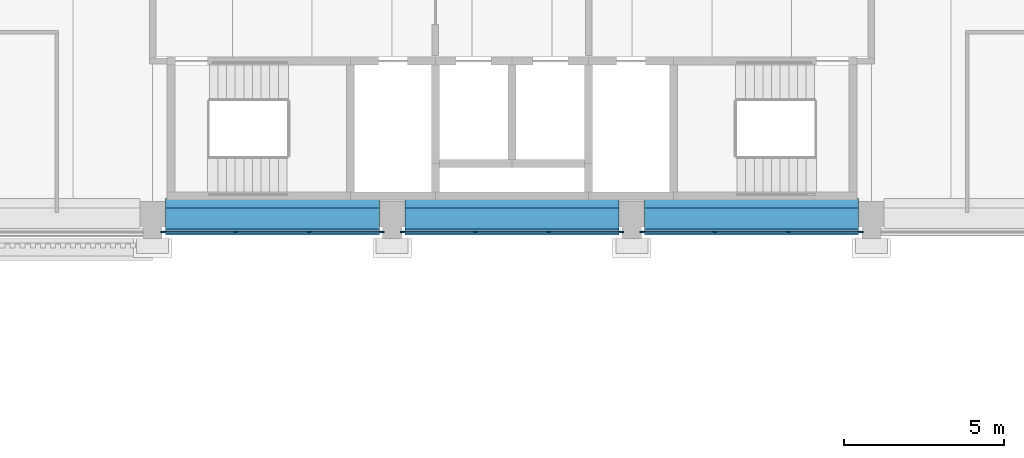
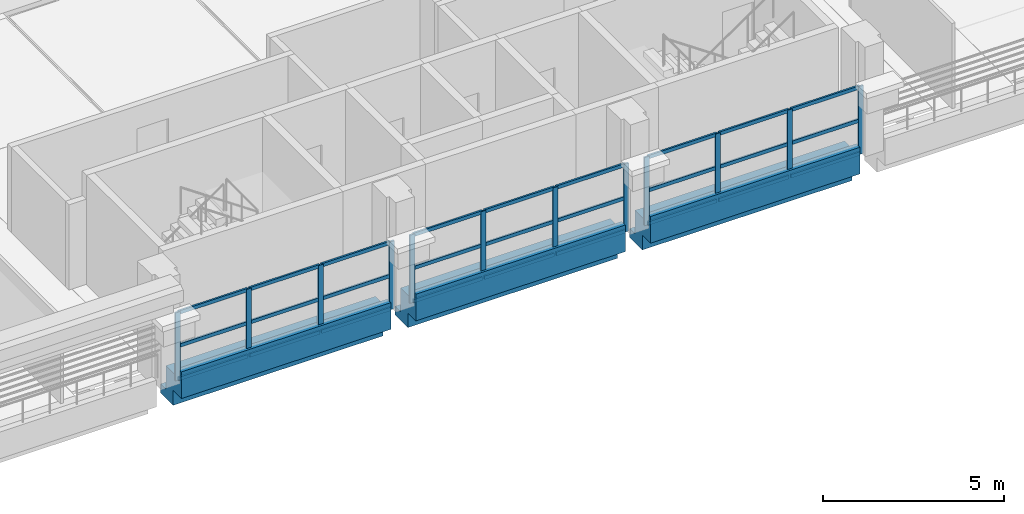
# One storey, part 7 of 71: 39 members, 3 beams, 3 elements without a shape of their own.
"""IFC4 building model written with IfcOpenShell, lengths in metres."""

from ifc_helpers import new_model, si_unit, direction, frame, origin, origin_2d, place, context, subcontext, project, spatial, polyline, rectangle, outline, extrude, material, layer, layer_set, material_profile, profile_set, type_object, element, aggregate, save


model = new_model("IFC4")

# Units and contexts
model_context = context("Model", 3, precision=1e-05, world=origin(), true_north=direction((0.0, 1.0)))
body_context = subcontext(model_context, "Body", "Model", "MODEL_VIEW")
ifc_project = project(units=[si_unit("LENGTHUNIT", "METRE"), si_unit("AREAUNIT", "SQUARE_METRE"), si_unit("VOLUMEUNIT", "CUBIC_METRE"), si_unit("PLANEANGLEUNIT", "RADIAN"), si_unit("MASSUNIT", "GRAM", prefix="KILO")], contexts=[model_context])

# Site, building, storey
site_placement = place(None, origin())
site = spatial("IfcSite", under=ifc_project, at=site_placement, CompositionType="ELEMENT")
building_placement = place(site_placement, origin())
building = spatial("IfcBuilding", under=site, at=building_placement, Name="Cour d'Honneur Mobility Palace", CompositionType="ELEMENT")
storey_placement = place(building_placement, frame((0.0, 0.0, 15.60009765625)))
storey = spatial("IfcBuildingStorey", under=building, at=storey_placement, Name="L04", CompositionType="ELEMENT", Elevation=15.60009765625)

# Curtain wall, members
ifc_material_1 = material(Name="Aluminium and glass", Category="aluminium")
ifc_layer = layer(ifc_material_1, 0.10009765625)
ifc_layer_set = layer_set([ifc_layer], Name="Aluminium and glass")
curtain_wall_type = type_object("IfcCurtainWallType", Name="Curtain wall run", PredefinedType="NOTDEFINED", material=ifc_layer_set)
curtain_wall_1_placement = place(storey_placement, origin())
curtain_wall_1 = element("IfcCurtainWall", 1, at=curtain_wall_1_placement, inside=storey, type_object=curtain_wall_type, Name="Curtain wall CW-81", PredefinedType="NOTDEFINED")
ifc_material_2 = material(Name="Aluminium", Category="aluminium")
ifc_material_profile_1 = material_profile(ifc_material_2, rectangle(XDim=0.06005859375, YDim=0.159912109375, at=origin_2d()), Name="Curtain wall mullion")
ifc_profile_set_1 = profile_set([ifc_material_profile_1], Name="Aluminium")
member_type_1 = type_object("IfcMemberType", Name="Curtain wall mullion", PredefinedType="MULLION", material=ifc_profile_set_1)
member_1_placement = place(storey_placement, frame((70.22998046875, 44.449951171875, 0.0), z_axis=(0.0, 0.0, 1.0), x_axis=(0.0, 1.0, 0.0)))
member_1 = element("IfcMember", 2, at=member_1_placement, type_object=member_type_1, Name="CW-81 mullion 1", PredefinedType="MULLION", context=body_context, shape_type="SweptSolid", body=[
    extrude(rectangle(XDim=0.06005859375, YDim=0.159912109375, at=origin_2d()), origin(), (0.0, 0.0, 1.0), 2.2998046875),
])
member_2_placement = place(storey_placement, frame((72.5, 44.449951171875, 0.0), z_axis=(0.0, 0.0, 1.0), x_axis=(0.0, 1.0, 0.0)))
member_2 = element("IfcMember", 3, at=member_2_placement, type_object=member_type_1, Name="CW-81 mullion 2", PredefinedType="MULLION", context=body_context, shape_type="SweptSolid", body=[
    extrude(rectangle(XDim=0.06005859375, YDim=0.159912109375, at=origin_2d()), origin(), (0.0, 0.0, 1.0), 2.2998046875),
])
member_3_placement = place(storey_placement, frame((74.800048828125, 44.449951171875, 0.0), z_axis=(0.0, 0.0, 1.0), x_axis=(0.0, 1.0, 0.0)))
member_3 = element("IfcMember", 4, at=member_3_placement, type_object=member_type_1, Name="CW-81 mullion 3", PredefinedType="MULLION", context=body_context, shape_type="SweptSolid", body=[
    extrude(rectangle(XDim=0.06005859375, YDim=0.159912109375, at=origin_2d()), origin(), (0.0, 0.0, 1.0), 2.2998046875),
])
member_4_placement = place(storey_placement, frame((77.070068359375, 44.449951171875, 0.0), z_axis=(0.0, 0.0, 1.0), x_axis=(0.0, 1.0, 0.0)))
member_4 = element("IfcMember", 5, at=member_4_placement, type_object=member_type_1, Name="CW-81 mullion 4", PredefinedType="MULLION", context=body_context, shape_type="SweptSolid", body=[
    extrude(rectangle(XDim=0.06005859375, YDim=0.159912109375, at=origin_2d()), origin(), (0.0, 0.0, 1.0), 2.2998046875),
])

curtain_wall_2_placement = place(storey_placement, origin())
curtain_wall_2 = element("IfcCurtainWall", 6, at=curtain_wall_2_placement, inside=storey, type_object=curtain_wall_type, Name="Curtain wall CW-82", PredefinedType="NOTDEFINED")
member_5_placement = place(storey_placement, frame((77.72998046875, 44.449951171875, 0.0), z_axis=(0.0, 0.0, 1.0), x_axis=(0.0, 1.0, 0.0)))
member_5 = element("IfcMember", 7, at=member_5_placement, type_object=member_type_1, Name="CW-82 mullion 1", PredefinedType="MULLION", context=body_context, shape_type="SweptSolid", body=[
    extrude(rectangle(XDim=0.06005859375, YDim=0.159912109375, at=origin_2d()), origin(), (0.0, 0.0, 1.0), 2.2998046875),
])
member_6_placement = place(storey_placement, frame((80.0, 44.449951171875, 0.0), z_axis=(0.0, 0.0, 1.0), x_axis=(0.0, 1.0, 0.0)))
member_6 = element("IfcMember", 8, at=member_6_placement, type_object=member_type_1, Name="CW-82 mullion 2", PredefinedType="MULLION", context=body_context, shape_type="SweptSolid", body=[
    extrude(rectangle(XDim=0.06005859375, YDim=0.159912109375, at=origin_2d()), origin(), (0.0, 0.0, 1.0), 2.2998046875),
])
member_7_placement = place(storey_placement, frame((82.300048828125, 44.449951171875, 0.0), z_axis=(0.0, 0.0, 1.0), x_axis=(0.0, 1.0, 0.0)))
member_7 = element("IfcMember", 9, at=member_7_placement, type_object=member_type_1, Name="CW-82 mullion 3", PredefinedType="MULLION", context=body_context, shape_type="SweptSolid", body=[
    extrude(rectangle(XDim=0.06005859375, YDim=0.159912109375, at=origin_2d()), origin(), (0.0, 0.0, 1.0), 2.2998046875),
])
member_8_placement = place(storey_placement, frame((84.570068359375, 44.449951171875, 0.0), z_axis=(0.0, 0.0, 1.0), x_axis=(0.0, 1.0, 0.0)))
member_8 = element("IfcMember", 10, at=member_8_placement, type_object=member_type_1, Name="CW-82 mullion 4", PredefinedType="MULLION", context=body_context, shape_type="SweptSolid", body=[
    extrude(rectangle(XDim=0.06005859375, YDim=0.159912109375, at=origin_2d()), origin(), (0.0, 0.0, 1.0), 2.2998046875),
])

curtain_wall_3_placement = place(storey_placement, origin())
curtain_wall_3 = element("IfcCurtainWall", 11, at=curtain_wall_3_placement, inside=storey, type_object=curtain_wall_type, Name="Curtain wall CW-83", PredefinedType="NOTDEFINED")
member_9_placement = place(storey_placement, frame((85.22998046875, 44.449951171875, 0.0), z_axis=(0.0, 0.0, 1.0), x_axis=(0.0, 1.0, 0.0)))
member_9 = element("IfcMember", 12, at=member_9_placement, type_object=member_type_1, Name="CW-83 mullion 1", PredefinedType="MULLION", context=body_context, shape_type="SweptSolid", body=[
    extrude(rectangle(XDim=0.06005859375, YDim=0.159912109375, at=origin_2d()), origin(), (0.0, 0.0, 1.0), 2.2998046875),
])
member_10_placement = place(storey_placement, frame((87.5, 44.449951171875, 0.0), z_axis=(0.0, 0.0, 1.0), x_axis=(0.0, 1.0, 0.0)))
member_10 = element("IfcMember", 13, at=member_10_placement, type_object=member_type_1, Name="CW-83 mullion 2", PredefinedType="MULLION", context=body_context, shape_type="SweptSolid", body=[
    extrude(rectangle(XDim=0.06005859375, YDim=0.159912109375, at=origin_2d()), origin(), (0.0, 0.0, 1.0), 2.2998046875),
])
member_11_placement = place(storey_placement, frame((89.800048828125, 44.449951171875, 0.0), z_axis=(0.0, 0.0, 1.0), x_axis=(0.0, 1.0, 0.0)))
member_11 = element("IfcMember", 14, at=member_11_placement, type_object=member_type_1, Name="CW-83 mullion 3", PredefinedType="MULLION", context=body_context, shape_type="SweptSolid", body=[
    extrude(rectangle(XDim=0.06005859375, YDim=0.159912109375, at=origin_2d()), origin(), (0.0, 0.0, 1.0), 2.2998046875),
])
member_12_placement = place(storey_placement, frame((92.070068359375, 44.449951171875, 0.0), z_axis=(0.0, 0.0, 1.0), x_axis=(0.0, 1.0, 0.0)))
member_12 = element("IfcMember", 15, at=member_12_placement, type_object=member_type_1, Name="CW-83 mullion 4", PredefinedType="MULLION", context=body_context, shape_type="SweptSolid", body=[
    extrude(rectangle(XDim=0.06005859375, YDim=0.159912109375, at=origin_2d()), origin(), (0.0, 0.0, 1.0), 2.2998046875),
])

# Member
ifc_material_3 = material(Name="Aluminium", Category="aluminium")
ifc_material_profile_2 = material_profile(ifc_material_3, rectangle(XDim=0.06005859375, YDim=0.1201171875, at=origin_2d()), Name="Curtain wall transom")
ifc_profile_set_2 = profile_set([ifc_material_profile_2], Name="Aluminium")
member_type_2 = type_object("IfcMemberType", Name="Curtain wall transom", PredefinedType="USERDEFINED", material=ifc_profile_set_2)
member_13_placement = place(storey_placement, frame((70.260009765625, 44.449951171875, 0.02978515625), z_axis=(1.0, 0.0, 0.0), x_axis=(0.0, 1.0, 0.0)))
member_13 = element("IfcMember", 16, at=member_13_placement, type_object=member_type_2, Name="CW-81 transom 1.1", ObjectType="TRANSOM", PredefinedType="USERDEFINED", context=body_context, shape_type="SweptSolid", body=[
    extrude(rectangle(XDim=0.06005859375, YDim=0.1201171875, at=origin_2d()), origin(), (0.0, 0.0, 1.0), 2.2099609375),
])

member_14_placement = place(storey_placement, frame((70.260009765625, 44.449951171875, 1.14990234375), z_axis=(1.0, 0.0, 0.0), x_axis=(0.0, 1.0, 0.0)))
member_14 = element("IfcMember", 17, at=member_14_placement, type_object=member_type_2, Name="CW-81 transom 1.2", ObjectType="TRANSOM", PredefinedType="USERDEFINED", context=body_context, shape_type="SweptSolid", body=[
    extrude(rectangle(XDim=0.06005859375, YDim=0.1201171875, at=origin_2d()), origin(), (0.0, 0.0, 1.0), 2.2099609375),
])

member_15_placement = place(storey_placement, frame((70.260009765625, 44.449951171875, 2.27001953125), z_axis=(1.0, 0.0, 0.0), x_axis=(0.0, 1.0, 0.0)))
member_15 = element("IfcMember", 18, at=member_15_placement, type_object=member_type_2, Name="CW-81 transom 1.3", ObjectType="TRANSOM", PredefinedType="USERDEFINED", context=body_context, shape_type="SweptSolid", body=[
    extrude(rectangle(XDim=0.06005859375, YDim=0.1201171875, at=origin_2d()), origin(), (0.0, 0.0, 1.0), 2.2099609375),
])

member_16_placement = place(storey_placement, frame((72.530029296875, 44.449951171875, 0.02978515625), z_axis=(1.0, 0.0, 0.0), x_axis=(0.0, 1.0, 0.0)))
member_16 = element("IfcMember", 19, at=member_16_placement, type_object=member_type_2, Name="CW-81 transom 2.1", ObjectType="TRANSOM", PredefinedType="USERDEFINED", context=body_context, shape_type="SweptSolid", body=[
    extrude(rectangle(XDim=0.06005859375, YDim=0.1201171875, at=origin_2d()), origin(), (0.0, 0.0, 1.0), 2.239990234375),
])

member_17_placement = place(storey_placement, frame((72.530029296875, 44.449951171875, 1.14990234375), z_axis=(1.0, 0.0, 0.0), x_axis=(0.0, 1.0, 0.0)))
member_17 = element("IfcMember", 20, at=member_17_placement, type_object=member_type_2, Name="CW-81 transom 2.2", ObjectType="TRANSOM", PredefinedType="USERDEFINED", context=body_context, shape_type="SweptSolid", body=[
    extrude(rectangle(XDim=0.06005859375, YDim=0.1201171875, at=origin_2d()), origin(), (0.0, 0.0, 1.0), 2.239990234375),
])

member_18_placement = place(storey_placement, frame((72.530029296875, 44.449951171875, 2.27001953125), z_axis=(1.0, 0.0, 0.0), x_axis=(0.0, 1.0, 0.0)))
member_18 = element("IfcMember", 21, at=member_18_placement, type_object=member_type_2, Name="CW-81 transom 2.3", ObjectType="TRANSOM", PredefinedType="USERDEFINED", context=body_context, shape_type="SweptSolid", body=[
    extrude(rectangle(XDim=0.06005859375, YDim=0.1201171875, at=origin_2d()), origin(), (0.0, 0.0, 1.0), 2.239990234375),
])

member_19_placement = place(storey_placement, frame((74.830078125, 44.449951171875, 0.02978515625), z_axis=(1.0, 0.0, 0.0), x_axis=(0.0, 1.0, 0.0)))
member_19 = element("IfcMember", 22, at=member_19_placement, type_object=member_type_2, Name="CW-81 transom 3.1", ObjectType="TRANSOM", PredefinedType="USERDEFINED", context=body_context, shape_type="SweptSolid", body=[
    extrude(rectangle(XDim=0.06005859375, YDim=0.1201171875, at=origin_2d()), origin(), (0.0, 0.0, 1.0), 2.2099609375),
])

member_20_placement = place(storey_placement, frame((74.830078125, 44.449951171875, 1.14990234375), z_axis=(1.0, 0.0, 0.0), x_axis=(0.0, 1.0, 0.0)))
member_20 = element("IfcMember", 23, at=member_20_placement, type_object=member_type_2, Name="CW-81 transom 3.2", ObjectType="TRANSOM", PredefinedType="USERDEFINED", context=body_context, shape_type="SweptSolid", body=[
    extrude(rectangle(XDim=0.06005859375, YDim=0.1201171875, at=origin_2d()), origin(), (0.0, 0.0, 1.0), 2.2099609375),
])

member_21_placement = place(storey_placement, frame((74.830078125, 44.449951171875, 2.27001953125), z_axis=(1.0, 0.0, 0.0), x_axis=(0.0, 1.0, 0.0)))
member_21 = element("IfcMember", 24, at=member_21_placement, type_object=member_type_2, Name="CW-81 transom 3.3", ObjectType="TRANSOM", PredefinedType="USERDEFINED", context=body_context, shape_type="SweptSolid", body=[
    extrude(rectangle(XDim=0.06005859375, YDim=0.1201171875, at=origin_2d()), origin(), (0.0, 0.0, 1.0), 2.2099609375),
])

aggregate(curtain_wall_1, [member_1, member_2, member_3, member_4, member_13, member_14, member_15, member_16, member_17, member_18, member_19, member_20, member_21])

member_22_placement = place(storey_placement, frame((77.760009765625, 44.449951171875, 0.02978515625), z_axis=(1.0, 0.0, 0.0), x_axis=(0.0, 1.0, 0.0)))
member_22 = element("IfcMember", 25, at=member_22_placement, type_object=member_type_2, Name="CW-82 transom 1.1", ObjectType="TRANSOM", PredefinedType="USERDEFINED", context=body_context, shape_type="SweptSolid", body=[
    extrude(rectangle(XDim=0.06005859375, YDim=0.1201171875, at=origin_2d()), origin(), (0.0, 0.0, 1.0), 2.2099609375),
])

member_23_placement = place(storey_placement, frame((77.760009765625, 44.449951171875, 1.14990234375), z_axis=(1.0, 0.0, 0.0), x_axis=(0.0, 1.0, 0.0)))
member_23 = element("IfcMember", 26, at=member_23_placement, type_object=member_type_2, Name="CW-82 transom 1.2", ObjectType="TRANSOM", PredefinedType="USERDEFINED", context=body_context, shape_type="SweptSolid", body=[
    extrude(rectangle(XDim=0.06005859375, YDim=0.1201171875, at=origin_2d()), origin(), (0.0, 0.0, 1.0), 2.2099609375),
])

member_24_placement = place(storey_placement, frame((77.760009765625, 44.449951171875, 2.27001953125), z_axis=(1.0, 0.0, 0.0), x_axis=(0.0, 1.0, 0.0)))
member_24 = element("IfcMember", 27, at=member_24_placement, type_object=member_type_2, Name="CW-82 transom 1.3", ObjectType="TRANSOM", PredefinedType="USERDEFINED", context=body_context, shape_type="SweptSolid", body=[
    extrude(rectangle(XDim=0.06005859375, YDim=0.1201171875, at=origin_2d()), origin(), (0.0, 0.0, 1.0), 2.2099609375),
])

member_25_placement = place(storey_placement, frame((80.030029296875, 44.449951171875, 0.02978515625), z_axis=(1.0, 0.0, 0.0), x_axis=(0.0, 1.0, 0.0)))
member_25 = element("IfcMember", 28, at=member_25_placement, type_object=member_type_2, Name="CW-82 transom 2.1", ObjectType="TRANSOM", PredefinedType="USERDEFINED", context=body_context, shape_type="SweptSolid", body=[
    extrude(rectangle(XDim=0.06005859375, YDim=0.1201171875, at=origin_2d()), origin(), (0.0, 0.0, 1.0), 2.239990234375),
])

member_26_placement = place(storey_placement, frame((80.030029296875, 44.449951171875, 1.14990234375), z_axis=(1.0, 0.0, 0.0), x_axis=(0.0, 1.0, 0.0)))
member_26 = element("IfcMember", 29, at=member_26_placement, type_object=member_type_2, Name="CW-82 transom 2.2", ObjectType="TRANSOM", PredefinedType="USERDEFINED", context=body_context, shape_type="SweptSolid", body=[
    extrude(rectangle(XDim=0.06005859375, YDim=0.1201171875, at=origin_2d()), origin(), (0.0, 0.0, 1.0), 2.239990234375),
])

member_27_placement = place(storey_placement, frame((80.030029296875, 44.449951171875, 2.27001953125), z_axis=(1.0, 0.0, 0.0), x_axis=(0.0, 1.0, 0.0)))
member_27 = element("IfcMember", 30, at=member_27_placement, type_object=member_type_2, Name="CW-82 transom 2.3", ObjectType="TRANSOM", PredefinedType="USERDEFINED", context=body_context, shape_type="SweptSolid", body=[
    extrude(rectangle(XDim=0.06005859375, YDim=0.1201171875, at=origin_2d()), origin(), (0.0, 0.0, 1.0), 2.239990234375),
])

member_28_placement = place(storey_placement, frame((82.330078125, 44.449951171875, 0.02978515625), z_axis=(1.0, 0.0, 0.0), x_axis=(0.0, 1.0, 0.0)))
member_28 = element("IfcMember", 31, at=member_28_placement, type_object=member_type_2, Name="CW-82 transom 3.1", ObjectType="TRANSOM", PredefinedType="USERDEFINED", context=body_context, shape_type="SweptSolid", body=[
    extrude(rectangle(XDim=0.06005859375, YDim=0.1201171875, at=origin_2d()), origin(), (0.0, 0.0, 1.0), 2.2099609375),
])

member_29_placement = place(storey_placement, frame((82.330078125, 44.449951171875, 1.14990234375), z_axis=(1.0, 0.0, 0.0), x_axis=(0.0, 1.0, 0.0)))
member_29 = element("IfcMember", 32, at=member_29_placement, type_object=member_type_2, Name="CW-82 transom 3.2", ObjectType="TRANSOM", PredefinedType="USERDEFINED", context=body_context, shape_type="SweptSolid", body=[
    extrude(rectangle(XDim=0.06005859375, YDim=0.1201171875, at=origin_2d()), origin(), (0.0, 0.0, 1.0), 2.2099609375),
])

member_30_placement = place(storey_placement, frame((82.330078125, 44.449951171875, 2.27001953125), z_axis=(1.0, 0.0, 0.0), x_axis=(0.0, 1.0, 0.0)))
member_30 = element("IfcMember", 33, at=member_30_placement, type_object=member_type_2, Name="CW-82 transom 3.3", ObjectType="TRANSOM", PredefinedType="USERDEFINED", context=body_context, shape_type="SweptSolid", body=[
    extrude(rectangle(XDim=0.06005859375, YDim=0.1201171875, at=origin_2d()), origin(), (0.0, 0.0, 1.0), 2.2099609375),
])

aggregate(curtain_wall_2, [member_5, member_6, member_7, member_8, member_22, member_23, member_24, member_25, member_26, member_27, member_28, member_29, member_30])

member_31_placement = place(storey_placement, frame((85.260009765625, 44.449951171875, 0.02978515625), z_axis=(1.0, 0.0, 0.0), x_axis=(0.0, 1.0, 0.0)))
member_31 = element("IfcMember", 34, at=member_31_placement, type_object=member_type_2, Name="CW-83 transom 1.1", ObjectType="TRANSOM", PredefinedType="USERDEFINED", context=body_context, shape_type="SweptSolid", body=[
    extrude(rectangle(XDim=0.06005859375, YDim=0.1201171875, at=origin_2d()), origin(), (0.0, 0.0, 1.0), 2.2099609375),
])

member_32_placement = place(storey_placement, frame((85.260009765625, 44.449951171875, 1.14990234375), z_axis=(1.0, 0.0, 0.0), x_axis=(0.0, 1.0, 0.0)))
member_32 = element("IfcMember", 35, at=member_32_placement, type_object=member_type_2, Name="CW-83 transom 1.2", ObjectType="TRANSOM", PredefinedType="USERDEFINED", context=body_context, shape_type="SweptSolid", body=[
    extrude(rectangle(XDim=0.06005859375, YDim=0.1201171875, at=origin_2d()), origin(), (0.0, 0.0, 1.0), 2.2099609375),
])

member_33_placement = place(storey_placement, frame((85.260009765625, 44.449951171875, 2.27001953125), z_axis=(1.0, 0.0, 0.0), x_axis=(0.0, 1.0, 0.0)))
member_33 = element("IfcMember", 36, at=member_33_placement, type_object=member_type_2, Name="CW-83 transom 1.3", ObjectType="TRANSOM", PredefinedType="USERDEFINED", context=body_context, shape_type="SweptSolid", body=[
    extrude(rectangle(XDim=0.06005859375, YDim=0.1201171875, at=origin_2d()), origin(), (0.0, 0.0, 1.0), 2.2099609375),
])

member_34_placement = place(storey_placement, frame((87.530029296875, 44.449951171875, 0.02978515625), z_axis=(1.0, 0.0, 0.0), x_axis=(0.0, 1.0, 0.0)))
member_34 = element("IfcMember", 37, at=member_34_placement, type_object=member_type_2, Name="CW-83 transom 2.1", ObjectType="TRANSOM", PredefinedType="USERDEFINED", context=body_context, shape_type="SweptSolid", body=[
    extrude(rectangle(XDim=0.06005859375, YDim=0.1201171875, at=origin_2d()), origin(), (0.0, 0.0, 1.0), 2.239990234375),
])

member_35_placement = place(storey_placement, frame((87.530029296875, 44.449951171875, 1.14990234375), z_axis=(1.0, 0.0, 0.0), x_axis=(0.0, 1.0, 0.0)))
member_35 = element("IfcMember", 38, at=member_35_placement, type_object=member_type_2, Name="CW-83 transom 2.2", ObjectType="TRANSOM", PredefinedType="USERDEFINED", context=body_context, shape_type="SweptSolid", body=[
    extrude(rectangle(XDim=0.06005859375, YDim=0.1201171875, at=origin_2d()), origin(), (0.0, 0.0, 1.0), 2.239990234375),
])

member_36_placement = place(storey_placement, frame((87.530029296875, 44.449951171875, 2.27001953125), z_axis=(1.0, 0.0, 0.0), x_axis=(0.0, 1.0, 0.0)))
member_36 = element("IfcMember", 39, at=member_36_placement, type_object=member_type_2, Name="CW-83 transom 2.3", ObjectType="TRANSOM", PredefinedType="USERDEFINED", context=body_context, shape_type="SweptSolid", body=[
    extrude(rectangle(XDim=0.06005859375, YDim=0.1201171875, at=origin_2d()), origin(), (0.0, 0.0, 1.0), 2.239990234375),
])

member_37_placement = place(storey_placement, frame((89.830078125, 44.449951171875, 0.02978515625), z_axis=(1.0, 0.0, 0.0), x_axis=(0.0, 1.0, 0.0)))
member_37 = element("IfcMember", 40, at=member_37_placement, type_object=member_type_2, Name="CW-83 transom 3.1", ObjectType="TRANSOM", PredefinedType="USERDEFINED", context=body_context, shape_type="SweptSolid", body=[
    extrude(rectangle(XDim=0.06005859375, YDim=0.1201171875, at=origin_2d()), origin(), (0.0, 0.0, 1.0), 2.2099609375),
])

member_38_placement = place(storey_placement, frame((89.830078125, 44.449951171875, 1.14990234375), z_axis=(1.0, 0.0, 0.0), x_axis=(0.0, 1.0, 0.0)))
member_38 = element("IfcMember", 41, at=member_38_placement, type_object=member_type_2, Name="CW-83 transom 3.2", ObjectType="TRANSOM", PredefinedType="USERDEFINED", context=body_context, shape_type="SweptSolid", body=[
    extrude(rectangle(XDim=0.06005859375, YDim=0.1201171875, at=origin_2d()), origin(), (0.0, 0.0, 1.0), 2.2099609375),
])

member_39_placement = place(storey_placement, frame((89.830078125, 44.449951171875, 2.27001953125), z_axis=(1.0, 0.0, 0.0), x_axis=(0.0, 1.0, 0.0)))
member_39 = element("IfcMember", 42, at=member_39_placement, type_object=member_type_2, Name="CW-83 transom 3.3", ObjectType="TRANSOM", PredefinedType="USERDEFINED", context=body_context, shape_type="SweptSolid", body=[
    extrude(rectangle(XDim=0.06005859375, YDim=0.1201171875, at=origin_2d()), origin(), (0.0, 0.0, 1.0), 2.2099609375),
])

aggregate(curtain_wall_3, [member_9, member_10, member_11, member_12, member_31, member_32, member_33, member_34, member_35, member_36, member_37, member_38, member_39])

# Beams
ifc_material_4 = material(Name="Concrete C45", Category="concrete")
ifc_material_profile_3 = material_profile(ifc_material_4, outline(polyline([(0.5, -1.10009765625), (0.5, -0.800048828125), (0.199951171875, -0.800048828125), (0.199951171875, 0.0), (-0.199951171875, 0.0), (-0.449951171875, 0.0), (-0.449951171875, 0.300048828125), (-0.64990234375, 0.300048828125), (-0.64990234375, -0.60009765625), (-0.199951171875, -0.60009765625), (-0.199951171875, -1.10009765625), (0.5, -1.10009765625)])), Name="Ledger Beam 400x1100 ledge left 300 facade right")
ifc_profile_set_3 = profile_set([ifc_material_profile_3], Name="Concrete C45")
beam_type = type_object("IfcBeamType", Name="Ledger Beam 400x1100 ledge left 300 facade right", PredefinedType="BEAM", material=ifc_profile_set_3)
for number, where, z_axis, x_axis, name in (
    (43, (70.300048828125, 45.0, 0.0), (1.0, 0.0, 0.0), (0.0, 1.0, 0.0), "Precast beam B3 9-10 L04"),
    (44, (77.800048828125, 45.0, 0.0), (1.0, 0.0, 0.0), (0.0, 1.0, 0.0), "Precast beam B3 10-11 L04"),
    (45, (85.300048828125, 45.0, 0.0), (1.0, 0.0, 0.0), (0.0, 1.0, 0.0), "Precast beam B3 11-12 L04"),
):
    element("IfcBeam", number, at=place(storey_placement, frame(where, z_axis=z_axis, x_axis=x_axis)), inside=storey, type_object=beam_type, Name=name, PredefinedType="BEAM", context=body_context, shape_type="SweptSolid", body=[
        extrude(outline(polyline([(0.5, -1.10009765625), (0.5, -0.800048828125), (0.199951171875, -0.800048828125), (0.199951171875, 0.0), (-0.199951171875, 0.0), (-0.449951171875, 0.0), (-0.449951171875, 0.300048828125), (-0.64990234375, 0.300048828125), (-0.64990234375, -0.60009765625), (-0.199951171875, -0.60009765625), (-0.199951171875, -1.10009765625), (0.5, -1.10009765625)])), origin(), (0.0, 0.0, 1.0), 6.699951171875),
    ])

save(model, "model.ifc")
